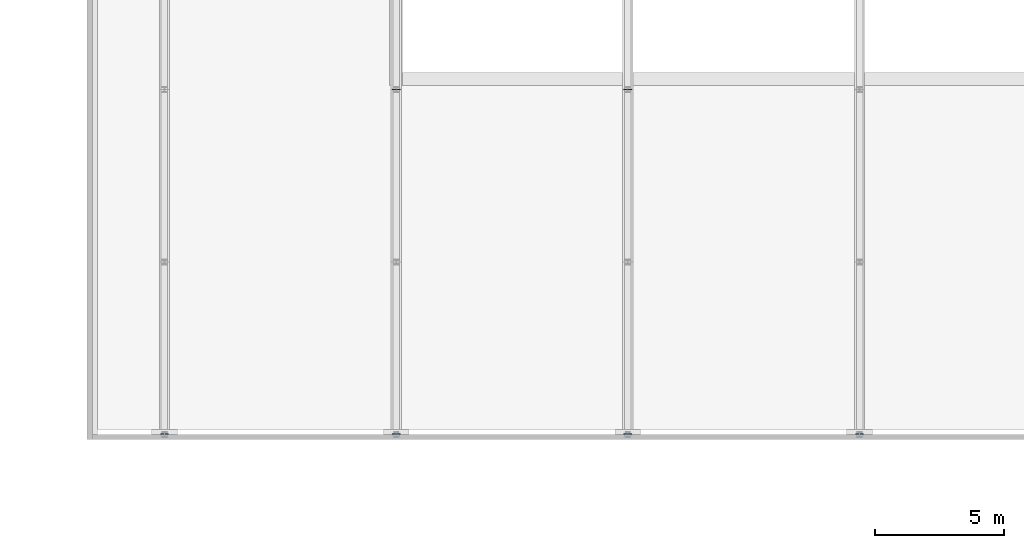
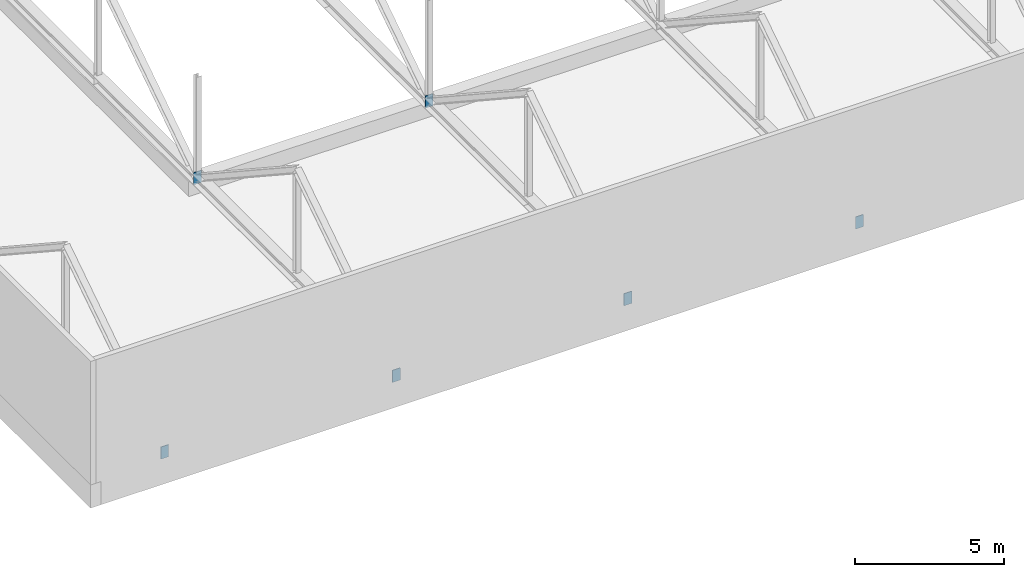
# One storey, part 35 of 49: 6 discrete accessories.
"""IFC4 building model written with IfcOpenShell, lengths in metres."""

from ifc_helpers import new_model, si_unit, direction, frame, origin, origin_2d, place, context, subcontext, project, spatial, rectangle, extrude, material, layer, layer_set, type_object, element, save


model = new_model("IFC4")

# Units and contexts
model_context = context("Model", 3, precision=1e-05, world=origin(), true_north=direction((0.0, 1.0)))
body_context = subcontext(model_context, "Body", "Model", "MODEL_VIEW")
ifc_project = project(units=[si_unit("LENGTHUNIT", "METRE"), si_unit("AREAUNIT", "SQUARE_METRE"), si_unit("VOLUMEUNIT", "CUBIC_METRE"), si_unit("PLANEANGLEUNIT", "RADIAN"), si_unit("MASSUNIT", "GRAM", prefix="KILO")], contexts=[model_context])

# Site, building, storey
site_placement = place(None, origin())
site = spatial("IfcSite", under=ifc_project, at=site_placement, CompositionType="ELEMENT")
building_placement = place(site_placement, origin())
building = spatial("IfcBuilding", under=site, at=building_placement, Name="Hunhe Ridgeline Campus", CompositionType="ELEMENT")
storey_placement = place(building_placement, frame((0.0, 0.0, 21.60009765625)))
storey = spatial("IfcBuildingStorey", under=building, at=storey_placement, Name="L04", CompositionType="ELEMENT", Elevation=21.60009765625)

# Discrete accessories
ifc_material = material(Name="Steel Q355", Category="steel")
ifc_layer = layer(ifc_material, 0.030029296875)
ifc_layer_set = layer_set([ifc_layer], Name="Cast-in plate 300x500x30 Steel Q355")
discrete_accessory_type = type_object("IfcDiscreteAccessoryType", Name="Cast-in plate 300x500x30 Steel Q355", PredefinedType="BRACKET", material=ifc_layer_set)
for number, where, z_axis, x_axis, name in (
    (1, (153.0, 22.715087890625, 0.539794921875), (0.0, 0.0, 1.0), (0.0, 1.0, 0.0), "Roof truss 1 cast-in plate s bottom"),
    (2, (162.0, 22.715087890625, 0.539794921875), (0.0, 0.0, 1.0), (0.0, 1.0, 0.0), "Roof truss 2 cast-in plate s bottom"),
    (3, (171.0, 22.715087890625, 0.539794921875), (0.0, 0.0, 1.0), (0.0, 1.0, 0.0), "Roof truss 3 cast-in plate s bottom"),
    (4, (180.0, 22.715087890625, 0.539794921875), (0.0, 0.0, 1.0), (0.0, 1.0, 0.0), "Roof truss 4 cast-in plate s bottom"),
    (5, (162.0, 36.10009765625, 0.539794921875), (0.0, 0.0, 1.0), (0.0, 1.0, 0.0), "Roof truss 2 cast-in plate node 2 bottom"),
    (6, (171.0, 36.10009765625, 0.539794921875), (0.0, 0.0, 1.0), (0.0, 1.0, 0.0), "Roof truss 3 cast-in plate node 2 bottom"),
):
    element("IfcDiscreteAccessory", number, at=place(storey_placement, frame(where, z_axis=z_axis, x_axis=x_axis)), inside=storey, type_object=discrete_accessory_type, Name=name, PredefinedType="BRACKET", context=body_context, shape_type="SweptSolid", body=[
        extrude(rectangle(XDim=0.030029296875, YDim=0.300048828125, at=origin_2d()), origin(), (0.0, 0.0, 1.0), 0.5),
    ])

save(model, "model.ifc")
